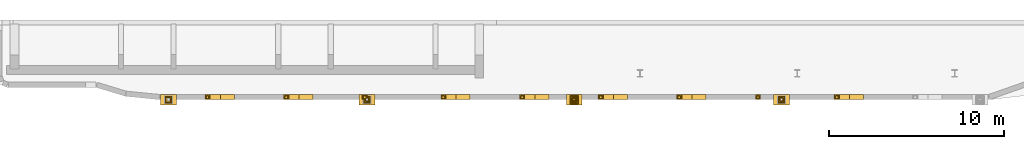
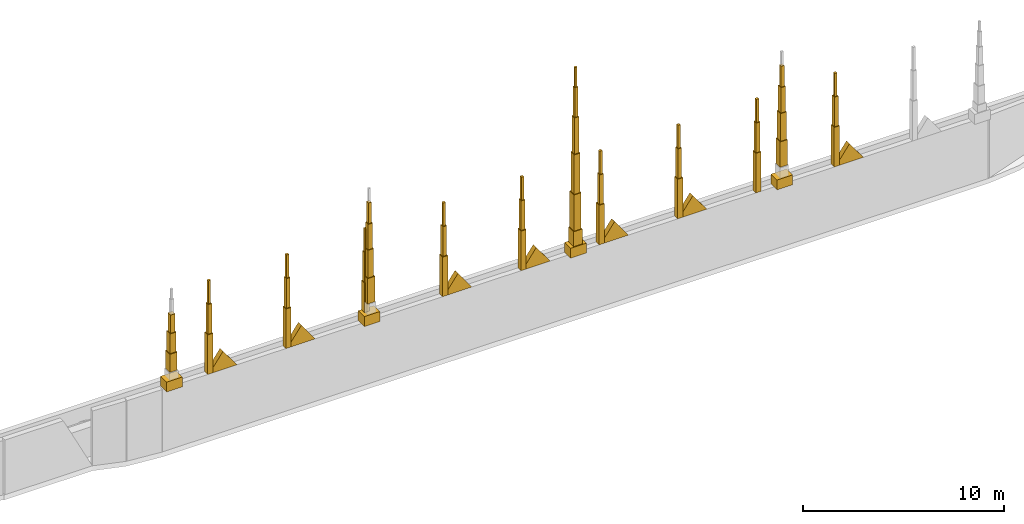
# One storey, part 3 of 6: 55 coverings.
"""IFC4 building model written with IfcOpenShell, lengths in metres."""

from ifc_helpers import new_model, si_unit, direction, frame, origin, origin_2d, place, context, subcontext, project, spatial, polyline, rectangle, outline, extrude, material, layer, layer_set, type_object, element, save


model = new_model("IFC4")

# Units and contexts
model_context = context("Model", 3, precision=1e-05, world=origin(), true_north=direction((0.0, 1.0)))
body_context = subcontext(model_context, "Body", "Model", "MODEL_VIEW")
ifc_project = project(units=[si_unit("LENGTHUNIT", "METRE"), si_unit("AREAUNIT", "SQUARE_METRE"), si_unit("VOLUMEUNIT", "CUBIC_METRE"), si_unit("PLANEANGLEUNIT", "RADIAN"), si_unit("MASSUNIT", "GRAM", prefix="KILO")], contexts=[model_context])

# Site, building, storey
site_placement = place(None, origin())
site = spatial("IfcSite", under=ifc_project, at=site_placement, CompositionType="ELEMENT")
building_placement = place(site_placement, origin())
building = spatial("IfcBuilding", under=site, at=building_placement, Name="Ogive Portal Towers", CompositionType="ELEMENT")
storey_placement = place(building_placement, frame((0.0, 0.0, 293.89990234375)))
storey = spatial("IfcBuildingStorey", under=building, at=storey_placement, Name="L71", CompositionType="ELEMENT", Elevation=293.89990234375)

# Coverings
ifc_material = material(Name="Limestone cladding on lightweight block wall", Category="masonry")
ifc_layer_1 = layer(ifc_material, 0.139892578125)
ifc_layer_set_1 = layer_set([ifc_layer_1], Name="CROWN PINNACLE FINIAL STONE")
covering_type_1 = type_object("IfcCoveringType", Name="CROWN PINNACLE FINIAL STONE", PredefinedType="CLADDING", material=ifc_layer_set_1)
for number, where, z_axis, x_axis, name in (
    (1, (42.75, 20.14990234375, 7.998046875), (0.0, 0.0, 1.0), (1.0, 0.0, 0.0), "PINNACLE"),
    (2, (47.25, 20.14990234375, 7.998046875), (0.0, 0.0, 1.0), (1.0, 0.0, 0.0), "PINNACLE"),
    (3, (51.75, 20.14990234375, 7.998046875), (0.0, 0.0, 1.0), (1.0, 0.0, 0.0), "PINNACLE"),
    (4, (56.25, 20.14990234375, 7.998046875), (0.0, 0.0, 1.0), (1.0, 0.0, 0.0), "PINNACLE"),
    (5, (60.75, 20.14990234375, 7.998046875), (0.0, 0.0, 1.0), (1.0, 0.0, 0.0), "PINNACLE"),
    (6, (65.25, 20.14990234375, 7.998046875), (0.0, 0.0, 1.0), (1.0, 0.0, 0.0), "PINNACLE"),
    (7, (69.75, 20.14990234375, 7.998046875), (0.0, 0.0, 1.0), (1.0, 0.0, 0.0), "PINNACLE"),
    (8, (74.25, 20.14990234375, 7.998046875), (0.0, 0.0, 1.0), (1.0, 0.0, 0.0), "PINNACLE"),
    (9, (78.75, 20.14990234375, 7.998046875), (0.0, 0.0, 1.0), (1.0, 0.0, 0.0), "PINNACLE"),
):
    element("IfcCovering", number, at=place(storey_placement, frame(where, z_axis=z_axis, x_axis=x_axis)), inside=storey, type_object=covering_type_1, Name=name, PredefinedType="CLADDING", context=body_context, shape_type="SweptSolid", body=[
        extrude(rectangle(XDim=0.139892578125, YDim=0.139892578125, at=origin_2d()), origin(), (0.0, 0.0, 1.0), 1.39990234375),
    ])
ifc_layer_2 = layer(ifc_material, 0.219970703125)
ifc_layer_set_2 = layer_set([ifc_layer_2], Name="CROWN PINNACLE MID STONE")
covering_type_2 = type_object("IfcCoveringType", Name="CROWN PINNACLE MID STONE", PredefinedType="CLADDING", material=ifc_layer_set_2)
for number, where, z_axis, x_axis, name in (
    (10, (42.75, 20.14990234375, 6.1982421875), (0.0, 0.0, 1.0), (1.0, 0.0, 0.0), "PINNACLE"),
    (11, (47.25, 20.14990234375, 6.1982421875), (0.0, 0.0, 1.0), (1.0, 0.0, 0.0), "PINNACLE"),
    (12, (51.75, 20.14990234375, 6.1982421875), (0.0, 0.0, 1.0), (1.0, 0.0, 0.0), "PINNACLE"),
    (13, (56.25, 20.14990234375, 6.1982421875), (0.0, 0.0, 1.0), (1.0, 0.0, 0.0), "PINNACLE"),
    (14, (60.75, 20.14990234375, 6.1982421875), (0.0, 0.0, 1.0), (1.0, 0.0, 0.0), "PINNACLE"),
    (15, (65.25, 20.14990234375, 6.1982421875), (0.0, 0.0, 1.0), (1.0, 0.0, 0.0), "PINNACLE"),
    (16, (69.75, 20.14990234375, 6.1982421875), (0.0, 0.0, 1.0), (1.0, 0.0, 0.0), "PINNACLE"),
    (17, (74.25, 20.14990234375, 6.1982421875), (0.0, 0.0, 1.0), (1.0, 0.0, 0.0), "PINNACLE"),
    (18, (78.75, 20.14990234375, 6.1982421875), (0.0, 0.0, 1.0), (1.0, 0.0, 0.0), "PINNACLE"),
):
    element("IfcCovering", number, at=place(storey_placement, frame(where, z_axis=z_axis, x_axis=x_axis)), inside=storey, type_object=covering_type_2, Name=name, PredefinedType="CLADDING", context=body_context, shape_type="SweptSolid", body=[
        extrude(rectangle(XDim=0.219970703125, YDim=0.219970703125, at=origin_2d()), origin(), (0.0, 0.0, 1.0), 1.800048828125),
    ])
ifc_layer_3 = layer(ifc_material, 0.300048828125)
ifc_layer_set_3 = layer_set([ifc_layer_3], Name="CROWN PINNACLE SHAFT STONE")
covering_type_3 = type_object("IfcCoveringType", Name="CROWN PINNACLE SHAFT STONE", PredefinedType="CLADDING", material=ifc_layer_set_3)
for number, where, z_axis, x_axis, name in (
    (19, (42.75, 20.14990234375, 3.798095703125), (0.0, 0.0, 1.0), (1.0, 0.0, 0.0), "PINNACLE"),
    (20, (47.25, 20.14990234375, 3.798095703125), (0.0, 0.0, 1.0), (1.0, 0.0, 0.0), "PINNACLE"),
    (21, (51.75, 20.14990234375, 3.798095703125), (0.0, 0.0, 1.0), (1.0, 0.0, 0.0), "PINNACLE"),
    (22, (56.25, 20.14990234375, 3.798095703125), (0.0, 0.0, 1.0), (1.0, 0.0, 0.0), "PINNACLE"),
    (23, (60.75, 20.14990234375, 3.798095703125), (0.0, 0.0, 1.0), (1.0, 0.0, 0.0), "PINNACLE"),
    (24, (65.25, 20.14990234375, 3.798095703125), (0.0, 0.0, 1.0), (1.0, 0.0, 0.0), "PINNACLE"),
    (25, (69.75, 20.14990234375, 3.798095703125), (0.0, 0.0, 1.0), (1.0, 0.0, 0.0), "PINNACLE"),
    (26, (74.25, 20.14990234375, 3.798095703125), (0.0, 0.0, 1.0), (1.0, 0.0, 0.0), "PINNACLE"),
    (27, (78.75, 20.14990234375, 3.798095703125), (0.0, 0.0, 1.0), (1.0, 0.0, 0.0), "PINNACLE"),
):
    element("IfcCovering", number, at=place(storey_placement, frame(where, z_axis=z_axis, x_axis=x_axis)), inside=storey, type_object=covering_type_3, Name=name, PredefinedType="CLADDING", context=body_context, shape_type="SweptSolid", body=[
        extrude(rectangle(XDim=0.300048828125, YDim=0.300048828125, at=origin_2d()), origin(), (0.0, 0.0, 1.0), 2.39990234375),
    ])
covering_1_placement = place(storey_placement, frame((51.873291015625, 20.0, 5.028076171875), z_axis=(0.0, 0.0, 1.0), x_axis=(1.0, 0.0, 0.0)))
element("IfcCovering", 28, at=covering_1_placement, inside=storey, type_object=covering_type_3, Name="CROWN SPIRE", PredefinedType="CLADDING", context=body_context, shape_type="SweptSolid", body=[
    extrude(rectangle(XDim=0.419921875, YDim=0.419921875, at=origin_2d()), origin(), (0.0, 0.0, 1.0), 1.5400390625),
])
covering_2_placement = place(storey_placement, frame((51.873291015625, 20.0, 6.568359375), z_axis=(0.0, 0.0, 1.0), x_axis=(1.0, 0.0, 0.0)))
element("IfcCovering", 29, at=covering_2_placement, inside=storey, type_object=covering_type_3, Name="CROWN SPIRE", PredefinedType="CLADDING", context=body_context, shape_type="SweptSolid", body=[
    extrude(rectangle(XDim=0.340087890625, YDim=0.340087890625, at=origin_2d()), origin(), (0.0, 0.0, 1.0), 1.679931640625),
])
covering_3_placement = place(storey_placement, frame((51.873291015625, 20.0, 8.248046875), z_axis=(0.0, 0.0, 1.0), x_axis=(1.0, 0.0, 0.0)))
element("IfcCovering", 30, at=covering_3_placement, inside=storey, type_object=covering_type_3, Name="CROWN SPIRE", PredefinedType="CLADDING", context=body_context, shape_type="SweptSolid", body=[
    extrude(rectangle(XDim=0.260009765625, YDim=0.260009765625, at=origin_2d()), origin(), (0.0, 0.0, 1.0), 1.5400390625),
])
covering_4_placement = place(storey_placement, frame((51.873291015625, 20.0, 9.7880859375), z_axis=(0.0, 0.0, 1.0), x_axis=(1.0, 0.0, 0.0)))
element("IfcCovering", 31, at=covering_4_placement, inside=storey, type_object=covering_type_3, Name="CROWN SPIRE", PredefinedType="CLADDING", context=body_context, shape_type="SweptSolid", body=[
    extrude(rectangle(XDim=0.179931640625, YDim=0.179931640625, at=origin_2d()), origin(), (0.0, 0.0, 1.0), 1.260009765625),
])
covering_5_placement = place(storey_placement, frame((63.73193359375, 20.0, 4.398193359375), z_axis=(0.0, 0.0, 1.0), x_axis=(1.0, 0.0, 0.0)))
element("IfcCovering", 32, at=covering_5_placement, inside=storey, type_object=covering_type_3, Name="CROWN SPIRE", PredefinedType="CLADDING", context=body_context, shape_type="SweptSolid", body=[
    extrude(rectangle(XDim=0.5, YDim=0.5, at=origin_2d()), origin(), (0.0, 0.0, 1.0), 0.89990234375),
])
covering_6_placement = place(storey_placement, frame((63.73193359375, 20.0, 5.29833984375), z_axis=(0.0, 0.0, 1.0), x_axis=(1.0, 0.0, 0.0)))
element("IfcCovering", 33, at=covering_6_placement, inside=storey, type_object=covering_type_3, Name="CROWN SPIRE", PredefinedType="CLADDING", context=body_context, shape_type="SweptSolid", body=[
    extrude(rectangle(XDim=0.419921875, YDim=0.419921875, at=origin_2d()), origin(), (0.0, 0.0, 1.0), 2.199951171875),
])
covering_7_placement = place(storey_placement, frame((63.73193359375, 20.0, 7.498046875), z_axis=(0.0, 0.0, 1.0), x_axis=(1.0, 0.0, 0.0)))
element("IfcCovering", 34, at=covering_7_placement, inside=storey, type_object=covering_type_3, Name="CROWN SPIRE", PredefinedType="CLADDING", context=body_context, shape_type="SweptSolid", body=[
    extrude(rectangle(XDim=0.340087890625, YDim=0.340087890625, at=origin_2d()), origin(), (0.0, 0.0, 1.0), 2.39990234375),
])
covering_8_placement = place(storey_placement, frame((63.73193359375, 20.0, 9.89794921875), z_axis=(0.0, 0.0, 1.0), x_axis=(1.0, 0.0, 0.0)))
element("IfcCovering", 35, at=covering_8_placement, inside=storey, type_object=covering_type_3, Name="CROWN SPIRE", PredefinedType="CLADDING", context=body_context, shape_type="SweptSolid", body=[
    extrude(rectangle(XDim=0.260009765625, YDim=0.260009765625, at=origin_2d()), origin(), (0.0, 0.0, 1.0), 2.199951171875),
])
covering_9_placement = place(storey_placement, frame((63.73193359375, 20.0, 12.09814453125), z_axis=(0.0, 0.0, 1.0), x_axis=(1.0, 0.0, 0.0)))
element("IfcCovering", 36, at=covering_9_placement, inside=storey, type_object=covering_type_3, Name="CROWN SPIRE", PredefinedType="CLADDING", context=body_context, shape_type="SweptSolid", body=[
    extrude(rectangle(XDim=0.179931640625, YDim=0.179931640625, at=origin_2d()), origin(), (0.0, 0.0, 1.0), 1.800048828125),
])
covering_10_placement = place(storey_placement, frame((63.73193359375, 20.0, 13.89794921875), z_axis=(0.0, 0.0, 1.0), x_axis=(1.0, 0.0, 0.0)))
element("IfcCovering", 37, at=covering_10_placement, inside=storey, type_object=covering_type_3, Name="CROWN SPIRE", PredefinedType="CLADDING", context=body_context, shape_type="SweptSolid", body=[
    extrude(rectangle(XDim=0.1201171875, YDim=0.1201171875, at=origin_2d()), origin(), (0.0, 0.0, 1.0), 1.199951171875),
])
covering_11_placement = place(storey_placement, frame((75.590576171875, 20.0, 5.028076171875), z_axis=(0.0, 0.0, 1.0), x_axis=(1.0, 0.0, 0.0)))
element("IfcCovering", 38, at=covering_11_placement, inside=storey, type_object=covering_type_3, Name="CROWN SPIRE", PredefinedType="CLADDING", context=body_context, shape_type="SweptSolid", body=[
    extrude(rectangle(XDim=0.419921875, YDim=0.419921875, at=origin_2d()), origin(), (0.0, 0.0, 1.0), 1.5400390625),
])
covering_12_placement = place(storey_placement, frame((75.590576171875, 20.0, 6.568359375), z_axis=(0.0, 0.0, 1.0), x_axis=(1.0, 0.0, 0.0)))
element("IfcCovering", 39, at=covering_12_placement, inside=storey, type_object=covering_type_3, Name="CROWN SPIRE", PredefinedType="CLADDING", context=body_context, shape_type="SweptSolid", body=[
    extrude(rectangle(XDim=0.340087890625, YDim=0.340087890625, at=origin_2d()), origin(), (0.0, 0.0, 1.0), 1.679931640625),
])
covering_13_placement = place(storey_placement, frame((75.590576171875, 20.0, 8.248046875), z_axis=(0.0, 0.0, 1.0), x_axis=(1.0, 0.0, 0.0)))
element("IfcCovering", 40, at=covering_13_placement, inside=storey, type_object=covering_type_3, Name="CROWN SPIRE", PredefinedType="CLADDING", context=body_context, shape_type="SweptSolid", body=[
    extrude(rectangle(XDim=0.260009765625, YDim=0.260009765625, at=origin_2d()), origin(), (0.0, 0.0, 1.0), 1.5400390625),
])
covering_14_placement = place(storey_placement, frame((75.590576171875, 20.0, 9.7880859375), z_axis=(0.0, 0.0, 1.0), x_axis=(1.0, 0.0, 0.0)))
element("IfcCovering", 41, at=covering_14_placement, inside=storey, type_object=covering_type_3, Name="CROWN SPIRE", PredefinedType="CLADDING", context=body_context, shape_type="SweptSolid", body=[
    extrude(rectangle(XDim=0.179931640625, YDim=0.179931640625, at=origin_2d()), origin(), (0.0, 0.0, 1.0), 1.260009765625),
])
covering_15_placement = place(storey_placement, frame((40.5146484375, 20.0, 4.84814453125), z_axis=(0.0, 0.0, 1.0), x_axis=(1.0, 0.0, 0.0)))
element("IfcCovering", 42, at=covering_15_placement, inside=storey, type_object=covering_type_3, Name="CROWN SPIRE", PredefinedType="CLADDING", context=body_context, shape_type="SweptSolid", body=[
    extrude(rectangle(XDim=0.419921875, YDim=0.419921875, at=origin_2d()), origin(), (0.0, 0.0, 1.0), 1.10009765625),
])
covering_16_placement = place(storey_placement, frame((40.5146484375, 20.0, 5.9482421875), z_axis=(0.0, 0.0, 1.0), x_axis=(1.0, 0.0, 0.0)))
element("IfcCovering", 43, at=covering_16_placement, inside=storey, type_object=covering_type_3, Name="CROWN SPIRE", PredefinedType="CLADDING", context=body_context, shape_type="SweptSolid", body=[
    extrude(rectangle(XDim=0.340087890625, YDim=0.340087890625, at=origin_2d()), origin(), (0.0, 0.0, 1.0), 1.199951171875),
])
covering_17_placement = place(storey_placement, frame((40.5146484375, 20.0, 7.14794921875), z_axis=(0.0, 0.0, 1.0), x_axis=(1.0, 0.0, 0.0)))
element("IfcCovering", 44, at=covering_17_placement, inside=storey, type_object=covering_type_3, Name="CROWN SPIRE", PredefinedType="CLADDING", context=body_context, shape_type="SweptSolid", body=[
    extrude(rectangle(XDim=0.260009765625, YDim=0.260009765625, at=origin_2d()), origin(), (0.0, 0.0, 1.0), 1.10009765625),
])
ifc_layer_4 = layer(ifc_material, 0.60009765625)
ifc_layer_set_4 = layer_set([ifc_layer_4], Name="CROWN SPIRE BASE STONE")
covering_type_4 = type_object("IfcCoveringType", Name="CROWN SPIRE BASE STONE", PredefinedType="CLADDING", material=ifc_layer_set_4)
for number, where, z_axis, x_axis, name in (
    (45, (51.873291015625, 20.0, 3.798095703125), (0.0, 0.0, 1.0), (1.0, 0.0, 0.0), "SPIRE BASE"),
    (46, (63.73193359375, 20.0, 3.798095703125), (0.0, 0.0, 1.0), (1.0, 0.0, 0.0), "SPIRE BASE"),
    (47, (75.590576171875, 20.0, 3.798095703125), (0.0, 0.0, 1.0), (1.0, 0.0, 0.0), "SPIRE BASE"),
    (48, (40.5146484375, 20.0, 3.798095703125), (0.0, 0.0, 1.0), (1.0, 0.0, 0.0), "SPIRE BASE"),
):
    element("IfcCovering", number, at=place(storey_placement, frame(where, z_axis=z_axis, x_axis=x_axis)), inside=storey, type_object=covering_type_4, Name=name, PredefinedType="CLADDING", context=body_context, shape_type="SweptSolid", body=[
        extrude(rectangle(XDim=0.89990234375, YDim=0.60009765625, at=origin_2d()), origin(), (0.0, 0.0, 1.0), 0.60009765625),
    ])
ifc_layer_5 = layer(ifc_material, 0.300048828125)
ifc_layer_set_5 = layer_set([ifc_layer_5], Name="PARAPET GABLE STONE")
covering_type_5 = type_object("IfcCoveringType", Name="PARAPET GABLE STONE", PredefinedType="CLADDING", material=ifc_layer_set_5)
for number, where, z_axis, x_axis, name in (
    (49, (42.681884765625, 20.0, 3.798095703125), (0.0, -1.0, 0.0), (1.0, 0.0, 0.0), "CROWN GABLE"),
    (50, (47.181884765625, 20.0, 3.798095703125), (0.0, -1.0, 0.0), (1.0, 0.0, 0.0), "CROWN GABLE"),
    (51, (56.181884765625, 20.0, 3.798095703125), (0.0, -1.0, 0.0), (1.0, 0.0, 0.0), "CROWN GABLE"),
    (52, (60.681884765625, 20.0, 3.798095703125), (0.0, -1.0, 0.0), (1.0, 0.0, 0.0), "CROWN GABLE"),
    (53, (65.181884765625, 20.0, 3.798095703125), (0.0, -1.0, 0.0), (1.0, 0.0, 0.0), "CROWN GABLE"),
    (54, (69.681884765625, 20.0, 3.798095703125), (0.0, -1.0, 0.0), (1.0, 0.0, 0.0), "CROWN GABLE"),
    (55, (78.681884765625, 20.0, 3.798095703125), (0.0, -1.0, 0.0), (1.0, 0.0, 0.0), "CROWN GABLE"),
):
    element("IfcCovering", number, at=place(storey_placement, frame(where, z_axis=z_axis, x_axis=x_axis)), inside=storey, type_object=covering_type_5, Name=name, PredefinedType="CLADDING", context=body_context, shape_type="SweptSolid", body=[
        extrude(outline(polyline([(0.0, 0.0), (1.60009765625, 0.0), (0.800048828125, 1.10009765625), (0.0, 0.0)])), origin(), (0.0, 0.0, -1.0), 0.300048828125),
    ])

save(model, "model.ifc")
